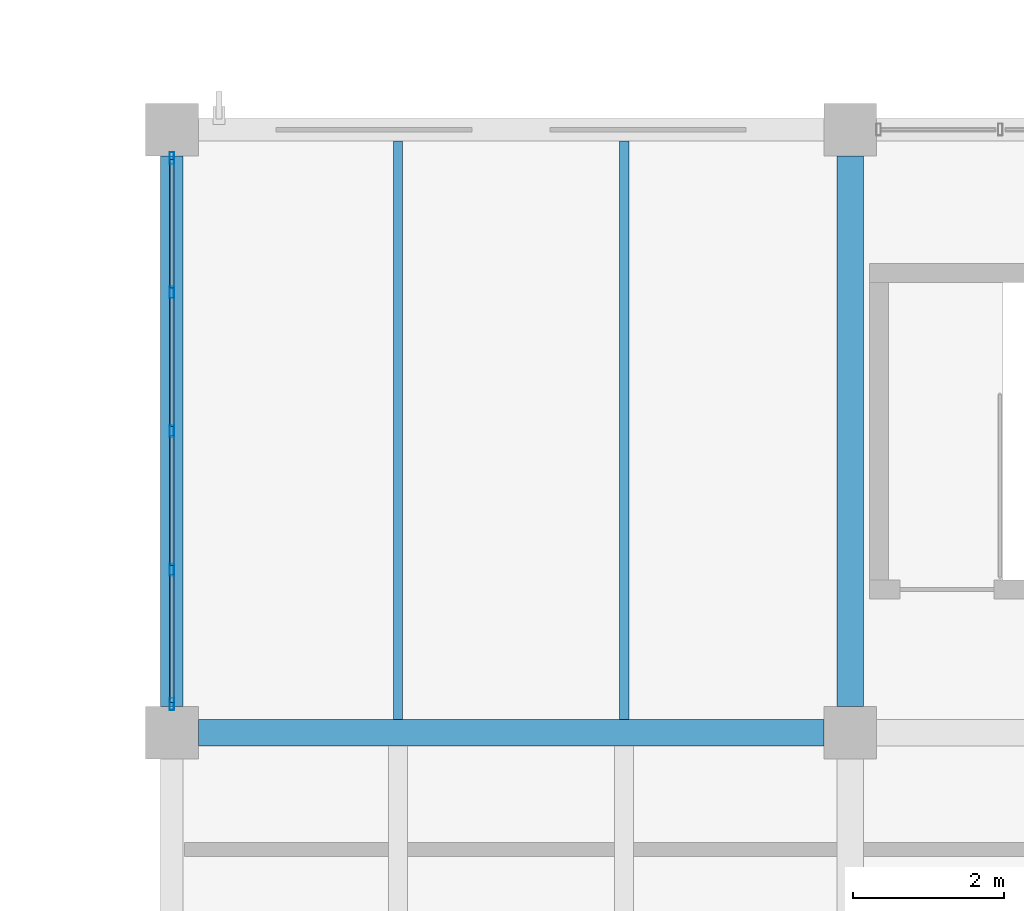
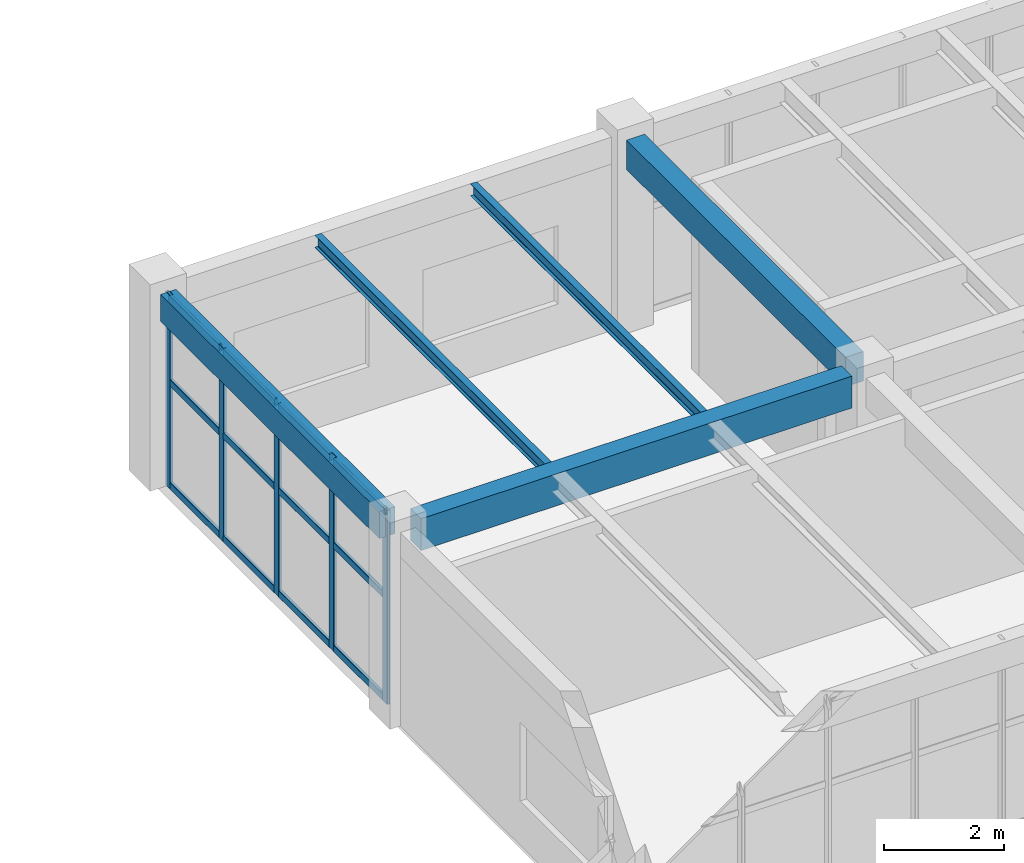
# One storey, part 62 of 128: 17 members, 5 beams, 1 element without a shape of its own.
"""IFC4 building model written with IfcOpenShell, lengths in metres."""

from ifc_helpers import new_model, si_unit, derived_unit, direction, frame, origin, origin_2d, place, context, subcontext, project, spatial, rectangle, hollow_rectangle, i_section, extrude, material, material_profile, profile_set, type_object, element, aggregate, save


model = new_model("IFC4")

# Units and contexts
model_context = context("Model", 3, precision=1e-05, world=origin(), true_north=direction((0.0, 1.0)))
body_context = subcontext(model_context, "Body", "Model", "MODEL_VIEW")
ifc_project = project(units=[si_unit("LENGTHUNIT", "METRE"), si_unit("AREAUNIT", "SQUARE_METRE"), si_unit("VOLUMEUNIT", "CUBIC_METRE"), si_unit("PLANEANGLEUNIT", "RADIAN"), si_unit("MASSUNIT", "GRAM", prefix="KILO"), derived_unit("THERMALTRANSMITTANCEUNIT", [(si_unit("MASSUNIT", "GRAM", prefix="KILO"), 1), (si_unit("TIMEUNIT", "SECOND"), -3), (si_unit("THERMODYNAMICTEMPERATUREUNIT", "KELVIN"), -1)])], contexts=[model_context])

# Site, building, storey
site_placement = place(None, origin())
site = spatial("IfcSite", under=ifc_project, at=site_placement, CompositionType="ELEMENT")
building_placement = place(site_placement, origin())
building = spatial("IfcBuilding", under=site, at=building_placement, Name="Zhenchuan Archway Interchange", CompositionType="ELEMENT")
storey_placement = place(building_placement, frame((0.0, 0.0, 14.39990234375)))
storey = spatial("IfcBuildingStorey", under=building, at=storey_placement, Name="L03", CompositionType="ELEMENT", Elevation=14.39990234375)

# Beams
ifc_material_1 = material(Name="Concrete C40", Category="concrete")
ifc_material_profile_1 = material_profile(ifc_material_1, rectangle(XDim=0.35009765625, YDim=0.60009765625, at=origin_2d()), Name="RC 350x600")
ifc_profile_set_1 = profile_set([ifc_material_profile_1], Name="Concrete C40")
beam_type_1 = type_object("IfcBeamType", Name="BM_RC_350x600", PredefinedType="BEAM", material=ifc_profile_set_1)
beam_1_placement = place(storey_placement, frame((117.0, 96.35009765625, 3.64013671875), z_axis=(0.0, 1.0, 0.0), x_axis=(-1.0, 0.0, 0.0)))
element("IfcBeam", 1, at=beam_1_placement, inside=storey, type_object=beam_type_1, Name="Beam 14:N-O (L03)", PredefinedType="BEAM", context=body_context, shape_type="SweptSolid", body=[
    extrude(rectangle(XDim=0.35009765625, YDim=0.60009765625, at=origin_2d()), origin(), (0.0, 0.0, 1.0), 7.2998046875),
])
ifc_material_profile_2 = material_profile(ifc_material_1, rectangle(XDim=0.35009765625, YDim=0.64990234375, at=origin_2d()), Name="RC 350x650")
ifc_profile_set_2 = profile_set([ifc_material_profile_2], Name="Concrete C40")
beam_type_2 = type_object("IfcBeamType", Name="BM_RC_350x650", PredefinedType="BEAM", material=ifc_profile_set_2)
beam_2_placement = place(storey_placement, frame((108.35009765625, 96.0, 3.614990234375), z_axis=(1.0, 0.0, 0.0), x_axis=(0.0, 1.0, 0.0)))
element("IfcBeam", 2, at=beam_2_placement, inside=storey, type_object=beam_type_2, Name="Beam N:13-14 (L03)", PredefinedType="BEAM", context=body_context, shape_type="SweptSolid", body=[
    extrude(rectangle(XDim=0.35009765625, YDim=0.64990234375, at=origin_2d()), origin(), (0.0, 0.0, 1.0), 8.2998046875),
])

# Curtain wall, members
ifc_material_2 = material(Name="Anodised Aluminium", Category="aluminium")
curtain_wall_type = type_object("IfcCurtainWallType", Name="CW_UNIT_3", PredefinedType="NOTDEFINED", material=ifc_material_2)
curtain_wall_placement = place(storey_placement, origin())
curtain_wall = element("IfcCurtainWall", 3, at=curtain_wall_placement, inside=storey, type_object=curtain_wall_type, Name="Unitised curtain wall CW:L03:174", PredefinedType="NOTDEFINED")
ifc_material_profile_3 = material_profile(ifc_material_2, hollow_rectangle(XDim=0.06005859375, YDim=0.159912109375, WallThickness=0.00390625, InnerFilletRadius=0.00390625, OuterFilletRadius=0.008056640625, at=origin_2d()), Name="ALU 160x60x4")
ifc_profile_set_3 = profile_set([ifc_material_profile_3], Name="Anodised Aluminium")
member_type_1 = type_object("IfcMemberType", Name="CW_MUL_150", PredefinedType="MULLION", material=ifc_profile_set_3)
member_1_placement = place(storey_placement, frame((108.0, 96.3779296875, 0.0), z_axis=(0.0, 0.0, 1.0), x_axis=(1.0, 0.0, 0.0)))
member_1 = element("IfcMember", 4, at=member_1_placement, type_object=member_type_1, Name="CW:L03:174 mullion 0", PredefinedType="MULLION", context=body_context, shape_type="SweptSolid", body=[
    extrude(hollow_rectangle(XDim=0.06005859375, YDim=0.159912109375, WallThickness=0.00390625, InnerFilletRadius=0.00390625, OuterFilletRadius=0.008056640625, at=origin_2d()), origin(), (0.0, 0.0, 1.0), 3.940185546875),
])
member_2_placement = place(storey_placement, frame((108.0, 98.158935546875, 0.0), z_axis=(0.0, 0.0, 1.0), x_axis=(1.0, 0.0, 0.0)))
member_2 = element("IfcMember", 5, at=member_2_placement, type_object=member_type_1, Name="CW:L03:174 mullion 1", PredefinedType="MULLION", context=body_context, shape_type="SweptSolid", body=[
    extrude(hollow_rectangle(XDim=0.06005859375, YDim=0.159912109375, WallThickness=0.00390625, InnerFilletRadius=0.00390625, OuterFilletRadius=0.008056640625, at=origin_2d()), origin(), (0.0, 0.0, 1.0), 3.940185546875),
])
member_3_placement = place(storey_placement, frame((108.0, 100.0, 0.0), z_axis=(0.0, 0.0, 1.0), x_axis=(1.0, 0.0, 0.0)))
member_3 = element("IfcMember", 6, at=member_3_placement, type_object=member_type_1, Name="CW:L03:174 mullion 2", PredefinedType="MULLION", context=body_context, shape_type="SweptSolid", body=[
    extrude(hollow_rectangle(XDim=0.06005859375, YDim=0.159912109375, WallThickness=0.00390625, InnerFilletRadius=0.00390625, OuterFilletRadius=0.008056640625, at=origin_2d()), origin(), (0.0, 0.0, 1.0), 3.940185546875),
])
member_4_placement = place(storey_placement, frame((108.0, 101.841064453125, 0.0), z_axis=(0.0, 0.0, 1.0), x_axis=(1.0, 0.0, 0.0)))
member_4 = element("IfcMember", 7, at=member_4_placement, type_object=member_type_1, Name="CW:L03:174 mullion 3", PredefinedType="MULLION", context=body_context, shape_type="SweptSolid", body=[
    extrude(hollow_rectangle(XDim=0.06005859375, YDim=0.159912109375, WallThickness=0.00390625, InnerFilletRadius=0.00390625, OuterFilletRadius=0.008056640625, at=origin_2d()), origin(), (0.0, 0.0, 1.0), 3.940185546875),
])
member_5_placement = place(storey_placement, frame((108.0, 103.6220703125, 0.0), z_axis=(0.0, 0.0, 1.0), x_axis=(1.0, 0.0, 0.0)))
member_5 = element("IfcMember", 8, at=member_5_placement, type_object=member_type_1, Name="CW:L03:174 mullion 4", PredefinedType="MULLION", context=body_context, shape_type="SweptSolid", body=[
    extrude(hollow_rectangle(XDim=0.06005859375, YDim=0.159912109375, WallThickness=0.00390625, InnerFilletRadius=0.00390625, OuterFilletRadius=0.008056640625, at=origin_2d()), origin(), (0.0, 0.0, 1.0), 3.940185546875),
])
ifc_material_profile_4 = material_profile(ifc_material_2, hollow_rectangle(XDim=0.06005859375, YDim=0.139892578125, WallThickness=0.00341796875, InnerFilletRadius=0.00341796875, OuterFilletRadius=0.007080078125, at=origin_2d()), Name="ALU 140x60x3.5")
ifc_profile_set_4 = profile_set([ifc_material_profile_4], Name="Anodised Aluminium")
member_type_2 = type_object("IfcMemberType", Name="CW_TRN_140", PredefinedType="USERDEFINED", material=ifc_profile_set_4)
member_6_placement = place(storey_placement, frame((108.0, 96.39794921875, 0.06005859375), z_axis=(0.0, 1.0, 0.0), x_axis=(-1.0, 0.0, 0.0)))
member_6 = element("IfcMember", 9, at=member_6_placement, type_object=member_type_2, Name="CW:L03:174 transom 0-1", ObjectType="TRANSOM", PredefinedType="USERDEFINED", context=body_context, shape_type="SweptSolid", body=[
    extrude(hollow_rectangle(XDim=0.06005859375, YDim=0.139892578125, WallThickness=0.00341796875, InnerFilletRadius=0.00341796875, OuterFilletRadius=0.007080078125, at=origin_2d()), origin(), (0.0, 0.0, 1.0), 1.701171875),
])
member_7_placement = place(storey_placement, frame((108.0, 96.39794921875, 2.156005859375), z_axis=(0.0, 1.0, 0.0), x_axis=(-1.0, 0.0, 0.0)))
member_7 = element("IfcMember", 10, at=member_7_placement, type_object=member_type_2, Name="CW:L03:174 transom 0-2", ObjectType="TRANSOM", PredefinedType="USERDEFINED", context=body_context, shape_type="SweptSolid", body=[
    extrude(hollow_rectangle(XDim=0.06005859375, YDim=0.139892578125, WallThickness=0.00341796875, InnerFilletRadius=0.00341796875, OuterFilletRadius=0.007080078125, at=origin_2d()), origin(), (0.0, 0.0, 1.0), 1.701171875),
])
member_8_placement = place(storey_placement, frame((108.0, 96.39794921875, 3.860107421875), z_axis=(0.0, 1.0, 0.0), x_axis=(-1.0, 0.0, 0.0)))
member_8 = element("IfcMember", 11, at=member_8_placement, type_object=member_type_2, Name="CW:L03:174 transom 0-3", ObjectType="TRANSOM", PredefinedType="USERDEFINED", context=body_context, shape_type="SweptSolid", body=[
    extrude(hollow_rectangle(XDim=0.06005859375, YDim=0.139892578125, WallThickness=0.00341796875, InnerFilletRadius=0.00341796875, OuterFilletRadius=0.007080078125, at=origin_2d()), origin(), (0.0, 0.0, 1.0), 1.701171875),
])
member_9_placement = place(storey_placement, frame((108.0, 98.218994140625, 0.06005859375), z_axis=(0.0, 1.0, 0.0), x_axis=(-1.0, 0.0, 0.0)))
member_9 = element("IfcMember", 12, at=member_9_placement, type_object=member_type_2, Name="CW:L03:174 transom 1-1", ObjectType="TRANSOM", PredefinedType="USERDEFINED", context=body_context, shape_type="SweptSolid", body=[
    extrude(hollow_rectangle(XDim=0.06005859375, YDim=0.139892578125, WallThickness=0.00341796875, InnerFilletRadius=0.00341796875, OuterFilletRadius=0.007080078125, at=origin_2d()), origin(), (0.0, 0.0, 1.0), 1.720947265625),
])
member_10_placement = place(storey_placement, frame((108.0, 98.218994140625, 2.156005859375), z_axis=(0.0, 1.0, 0.0), x_axis=(-1.0, 0.0, 0.0)))
member_10 = element("IfcMember", 13, at=member_10_placement, type_object=member_type_2, Name="CW:L03:174 transom 1-2", ObjectType="TRANSOM", PredefinedType="USERDEFINED", context=body_context, shape_type="SweptSolid", body=[
    extrude(hollow_rectangle(XDim=0.06005859375, YDim=0.139892578125, WallThickness=0.00341796875, InnerFilletRadius=0.00341796875, OuterFilletRadius=0.007080078125, at=origin_2d()), origin(), (0.0, 0.0, 1.0), 1.720947265625),
])
member_11_placement = place(storey_placement, frame((108.0, 98.218994140625, 3.860107421875), z_axis=(0.0, 1.0, 0.0), x_axis=(-1.0, 0.0, 0.0)))
member_11 = element("IfcMember", 14, at=member_11_placement, type_object=member_type_2, Name="CW:L03:174 transom 1-3", ObjectType="TRANSOM", PredefinedType="USERDEFINED", context=body_context, shape_type="SweptSolid", body=[
    extrude(hollow_rectangle(XDim=0.06005859375, YDim=0.139892578125, WallThickness=0.00341796875, InnerFilletRadius=0.00341796875, OuterFilletRadius=0.007080078125, at=origin_2d()), origin(), (0.0, 0.0, 1.0), 1.720947265625),
])
member_12_placement = place(storey_placement, frame((108.0, 100.06005859375, 0.06005859375), z_axis=(0.0, 1.0, 0.0), x_axis=(-1.0, 0.0, 0.0)))
member_12 = element("IfcMember", 15, at=member_12_placement, type_object=member_type_2, Name="CW:L03:174 transom 2-1", ObjectType="TRANSOM", PredefinedType="USERDEFINED", context=body_context, shape_type="SweptSolid", body=[
    extrude(hollow_rectangle(XDim=0.06005859375, YDim=0.139892578125, WallThickness=0.00341796875, InnerFilletRadius=0.00341796875, OuterFilletRadius=0.007080078125, at=origin_2d()), origin(), (0.0, 0.0, 1.0), 1.720947265625),
])
member_13_placement = place(storey_placement, frame((108.0, 100.06005859375, 2.156005859375), z_axis=(0.0, 1.0, 0.0), x_axis=(-1.0, 0.0, 0.0)))
member_13 = element("IfcMember", 16, at=member_13_placement, type_object=member_type_2, Name="CW:L03:174 transom 2-2", ObjectType="TRANSOM", PredefinedType="USERDEFINED", context=body_context, shape_type="SweptSolid", body=[
    extrude(hollow_rectangle(XDim=0.06005859375, YDim=0.139892578125, WallThickness=0.00341796875, InnerFilletRadius=0.00341796875, OuterFilletRadius=0.007080078125, at=origin_2d()), origin(), (0.0, 0.0, 1.0), 1.720947265625),
])
member_14_placement = place(storey_placement, frame((108.0, 100.06005859375, 3.860107421875), z_axis=(0.0, 1.0, 0.0), x_axis=(-1.0, 0.0, 0.0)))
member_14 = element("IfcMember", 17, at=member_14_placement, type_object=member_type_2, Name="CW:L03:174 transom 2-3", ObjectType="TRANSOM", PredefinedType="USERDEFINED", context=body_context, shape_type="SweptSolid", body=[
    extrude(hollow_rectangle(XDim=0.06005859375, YDim=0.139892578125, WallThickness=0.00341796875, InnerFilletRadius=0.00341796875, OuterFilletRadius=0.007080078125, at=origin_2d()), origin(), (0.0, 0.0, 1.0), 1.720947265625),
])
member_15_placement = place(storey_placement, frame((108.0, 101.90087890625, 0.06005859375), z_axis=(0.0, 1.0, 0.0), x_axis=(-1.0, 0.0, 0.0)))
member_15 = element("IfcMember", 18, at=member_15_placement, type_object=member_type_2, Name="CW:L03:174 transom 3-1", ObjectType="TRANSOM", PredefinedType="USERDEFINED", context=body_context, shape_type="SweptSolid", body=[
    extrude(hollow_rectangle(XDim=0.06005859375, YDim=0.139892578125, WallThickness=0.00341796875, InnerFilletRadius=0.00341796875, OuterFilletRadius=0.007080078125, at=origin_2d()), origin(), (0.0, 0.0, 1.0), 1.701171875),
])
member_16_placement = place(storey_placement, frame((108.0, 101.90087890625, 2.156005859375), z_axis=(0.0, 1.0, 0.0), x_axis=(-1.0, 0.0, 0.0)))
member_16 = element("IfcMember", 19, at=member_16_placement, type_object=member_type_2, Name="CW:L03:174 transom 3-2", ObjectType="TRANSOM", PredefinedType="USERDEFINED", context=body_context, shape_type="SweptSolid", body=[
    extrude(hollow_rectangle(XDim=0.06005859375, YDim=0.139892578125, WallThickness=0.00341796875, InnerFilletRadius=0.00341796875, OuterFilletRadius=0.007080078125, at=origin_2d()), origin(), (0.0, 0.0, 1.0), 1.701171875),
])
member_17_placement = place(storey_placement, frame((108.0, 101.90087890625, 3.860107421875), z_axis=(0.0, 1.0, 0.0), x_axis=(-1.0, 0.0, 0.0)))
member_17 = element("IfcMember", 20, at=member_17_placement, type_object=member_type_2, Name="CW:L03:174 transom 3-3", ObjectType="TRANSOM", PredefinedType="USERDEFINED", context=body_context, shape_type="SweptSolid", body=[
    extrude(hollow_rectangle(XDim=0.06005859375, YDim=0.139892578125, WallThickness=0.00341796875, InnerFilletRadius=0.00341796875, OuterFilletRadius=0.007080078125, at=origin_2d()), origin(), (0.0, 0.0, 1.0), 1.701171875),
])
aggregate(curtain_wall, [member_1, member_2, member_3, member_4, member_5, member_6, member_7, member_8, member_9, member_10, member_11, member_12, member_13, member_14, member_15, member_16, member_17])

# Beams
ifc_material_3 = material(Name="Steel Q355", Category="steel")
ifc_material_profile_5 = material_profile(ifc_material_3, i_section(OverallWidth=0.125, OverallDepth=0.25, WebThickness=0.006103515625, FlangeThickness=0.009033203125, FilletRadius=0.011962890625, at=origin_2d()), Name="HN 250x125")
ifc_profile_set_5 = profile_set([ifc_material_profile_5], Name="Steel Q355")
beam_type_3 = type_object("IfcBeamType", Name="JST_STL_HN250", PredefinedType="JOIST", material=ifc_profile_set_5)
for number, where, z_axis, x_axis, name in (
    (21, (111.0, 96.175048828125, 3.815185546875), (0.0, 1.0, 0.0), (-1.0, 0.0, 0.0), "Secondary joist 13-14/N-O #1 (L03)"),
    (22, (114.0, 96.175048828125, 3.815185546875), (0.0, 1.0, 0.0), (-1.0, 0.0, 0.0), "Secondary joist 13-14/N-O #2 (L03)"),
):
    element("IfcBeam", number, at=place(storey_placement, frame(where, z_axis=z_axis, x_axis=x_axis)), inside=storey, type_object=beam_type_3, Name=name, PredefinedType="JOIST", context=body_context, shape_type="SweptSolid", body=[
        extrude(i_section(OverallWidth=0.125, OverallDepth=0.25, WebThickness=0.006103515625, FlangeThickness=0.009033203125, FilletRadius=0.011962890625, at=origin_2d()), origin(), (0.0, 0.0, 1.0), 7.675048828125),
    ])
ifc_material_profile_6 = material_profile(ifc_material_1, rectangle(XDim=0.300048828125, YDim=0.550048828125, at=origin_2d()), Name="RC 300x550")
ifc_profile_set_6 = profile_set([ifc_material_profile_6], Name="Concrete C40")
beam_type_4 = type_object("IfcBeamType", Name="SP_RC_300x550", PredefinedType="SPANDREL", material=ifc_profile_set_6)
beam_3_placement = place(storey_placement, frame((108.0, 96.35009765625, 3.6650390625), z_axis=(0.0, 1.0, 0.0), x_axis=(-1.0, 0.0, 0.0)))
element("IfcBeam", 23, at=beam_3_placement, inside=storey, type_object=beam_type_4, Name="Beam 13:N-O (L03)", PredefinedType="SPANDREL", context=body_context, shape_type="SweptSolid", body=[
    extrude(rectangle(XDim=0.300048828125, YDim=0.550048828125, at=origin_2d()), origin(), (0.0, 0.0, 1.0), 7.2998046875),
])

save(model, "model.ifc")
